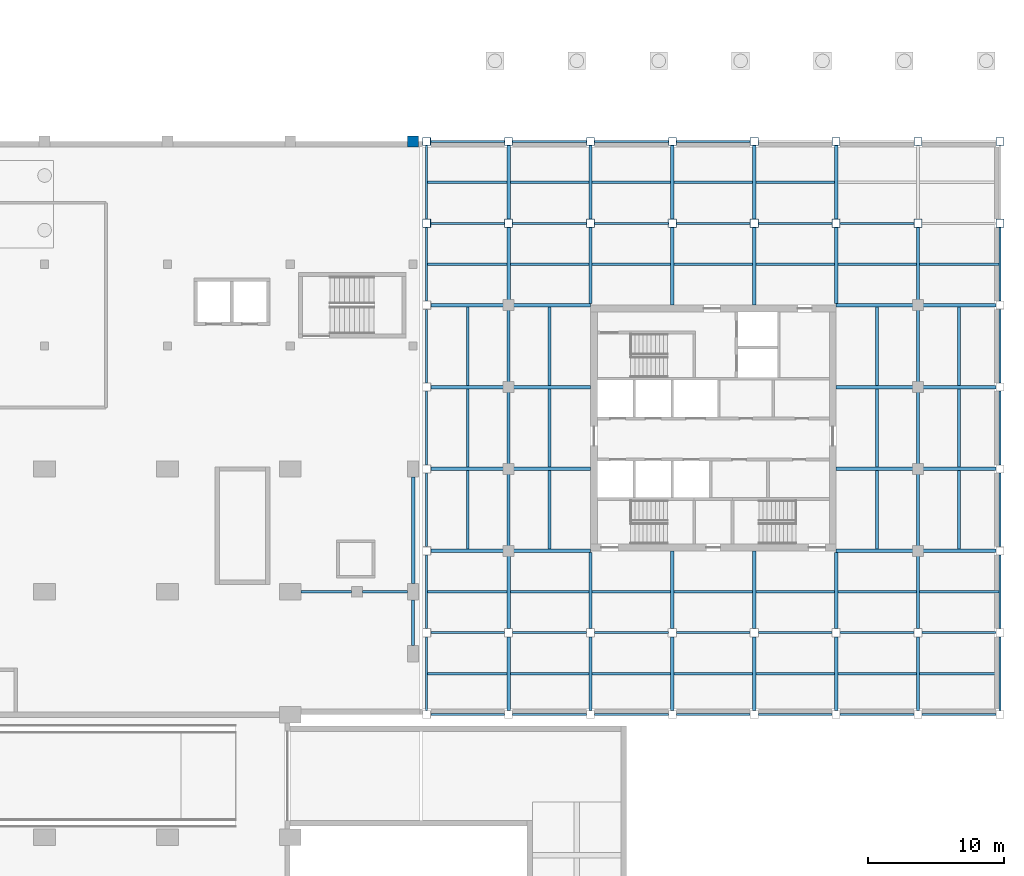
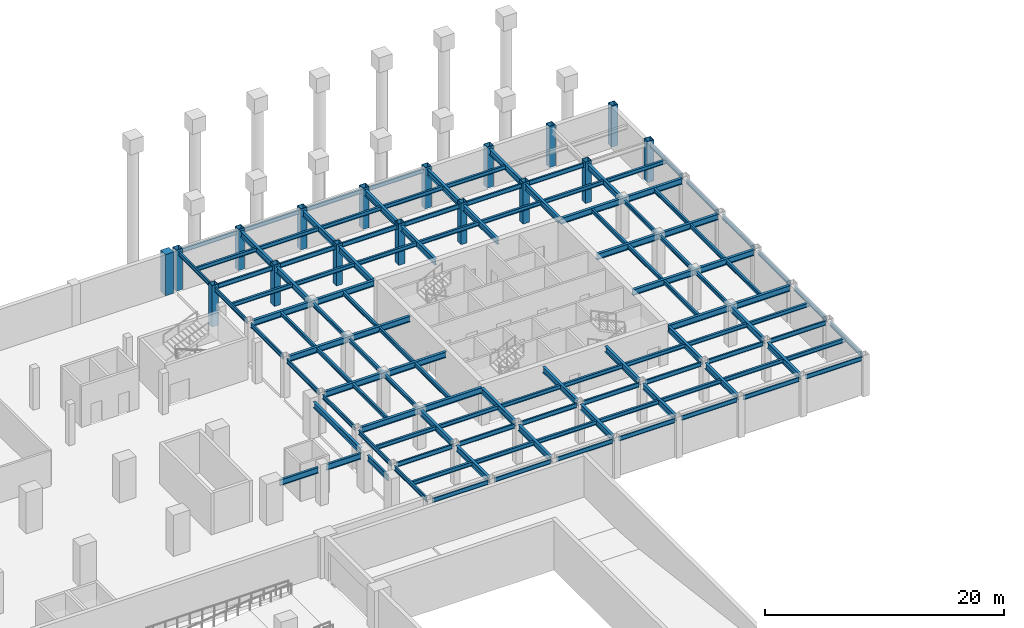
# One storey, part 6 of 27: 116 beams, 17 columns.
"""IFC4 building model written with IfcOpenShell, lengths in metres."""

from ifc_helpers import new_model, si_unit, direction, frame, origin, origin_2d, place, context, subcontext, project, spatial, rectangle, hollow_rectangle, i_section, extrude, material, material_profile, profile_set, type_object, element, save


model = new_model("IFC4")

# Units and contexts
model_context = context("Model", 3, precision=1e-05, world=origin(), true_north=direction((0.0, 1.0)))
body_context = subcontext(model_context, "Body", "Model", "MODEL_VIEW")
ifc_project = project(units=[si_unit("LENGTHUNIT", "METRE"), si_unit("AREAUNIT", "SQUARE_METRE"), si_unit("VOLUMEUNIT", "CUBIC_METRE"), si_unit("PLANEANGLEUNIT", "RADIAN"), si_unit("MASSUNIT", "GRAM", prefix="KILO")], contexts=[model_context])

# Site, building, storey
site_placement = place(None, origin())
site = spatial("IfcSite", under=ifc_project, at=site_placement, CompositionType="ELEMENT")
building_placement = place(site_placement, origin())
building = spatial("IfcBuilding", under=site, at=building_placement, Name="Aravalli Gate Trade Fair Centre", CompositionType="ELEMENT")
storey_placement = place(building_placement, frame((0.0, 0.0, -4.199951171875)))
storey = spatial("IfcBuildingStorey", under=building, at=storey_placement, Name="B1", CompositionType="ELEMENT", Elevation=-4.199951171875)

# Columns
ifc_material_1 = material(Name="Concrete M45", Category="concrete")
ifc_material_profile_1 = material_profile(ifc_material_1, rectangle(XDim=0.800048828125, YDim=0.800048828125, at=origin_2d()), Name="RC column 800 x 800")
ifc_profile_set_1 = profile_set([ifc_material_profile_1], Name="Concrete M45")
column_type_1 = type_object("IfcColumnType", Name="RC column 800 x 800", PredefinedType="COLUMN", material=ifc_profile_set_1)
column_placement = place(storey_placement, frame((159.0, 133.0, 0.0), z_axis=(0.0, 0.0, 1.0), x_axis=(1.0, 0.0, 0.0)))
element("IfcColumn", 1, at=column_placement, inside=storey, type_object=column_type_1, Name="Concourse column KE B1", PredefinedType="COLUMN", context=body_context, shape_type="SweptSolid", body=[
    extrude(rectangle(XDim=0.800048828125, YDim=0.800048828125, at=origin_2d()), origin(), (0.0, 0.0, 1.0), 4.199951171875),
])
ifc_material_2 = material(Name="Steel E350", Category="steel")
ifc_material_profile_2 = material_profile(ifc_material_2, hollow_rectangle(XDim=0.60009765625, YDim=0.60009765625, WallThickness=0.0400390625, at=origin_2d()), Name="BOX 600x600x40")
ifc_profile_set_2 = profile_set([ifc_material_profile_2], Name="Steel E350")
column_type_2 = type_object("IfcColumnType", Name="Wing box column 600 x 600 x 40", PredefinedType="COLUMN", material=ifc_profile_set_2)
for number, where, z_axis, x_axis, name in (
    (2, (160.0, 127.0, 0.0), (0.0, 0.0, 1.0), (1.0, 0.0, 0.0), "Wing column 18/T4 B1"),
    (3, (160.0, 133.0, 0.0), (0.0, 0.0, 1.0), (1.0, 0.0, 0.0), "Wing column 18/K B1"),
    (4, (166.0, 133.0, 0.0), (0.0, 0.0, 1.0), (1.0, 0.0, 0.0), "Wing column 19/K B1"),
    (5, (172.0, 133.0, 0.0), (0.0, 0.0, 1.0), (1.0, 0.0, 0.0), "Wing column 20/K B1"),
    (6, (178.0, 133.0, 0.0), (0.0, 0.0, 1.0), (1.0, 0.0, 0.0), "Wing column 21/K B1"),
    (7, (184.0, 133.0, 0.0), (0.0, 0.0, 1.0), (1.0, 0.0, 0.0), "Wing column 22/K B1"),
    (8, (190.0, 133.0, 0.0), (0.0, 0.0, 1.0), (1.0, 0.0, 0.0), "Wing column 23/K B1"),
    (9, (196.0, 133.0, 0.0), (0.0, 0.0, 1.0), (1.0, 0.0, 0.0), "Wing column 24/K B1"),
    (10, (202.0, 127.0, 0.0), (0.0, 0.0, 1.0), (1.0, 0.0, 0.0), "Wing column 25/T4 B1"),
    (11, (202.0, 133.0, 0.0), (0.0, 0.0, 1.0), (1.0, 0.0, 0.0), "Wing column 25/K B1"),
    (12, (166.0, 127.0, 0.0), (0.0, 0.0, 1.0), (1.0, 0.0, 0.0), "Wing column 19/T4 B1"),
    (13, (172.0, 127.0, 0.0), (0.0, 0.0, 1.0), (1.0, 0.0, 0.0), "Wing column 20/T4 B1"),
    (14, (178.0, 127.0, 0.0), (0.0, 0.0, 1.0), (1.0, 0.0, 0.0), "Wing column 21/T4 B1"),
    (15, (184.0, 127.0, 0.0), (0.0, 0.0, 1.0), (1.0, 0.0, 0.0), "Wing column 22/T4 B1"),
    (16, (190.0, 127.0, 0.0), (0.0, 0.0, 1.0), (1.0, 0.0, 0.0), "Wing column 23/T4 B1"),
    (17, (196.0, 127.0, 0.0), (0.0, 0.0, 1.0), (1.0, 0.0, 0.0), "Wing column 24/T4 B1"),
):
    element("IfcColumn", number, at=place(storey_placement, frame(where, z_axis=z_axis, x_axis=x_axis)), inside=storey, type_object=column_type_2, Name=name, PredefinedType="COLUMN", context=body_context, shape_type="SweptSolid", body=[
        extrude(hollow_rectangle(XDim=0.60009765625, YDim=0.60009765625, WallThickness=0.0400390625, at=origin_2d()), origin(), (0.0, 0.0, 1.0), 4.199951171875),
    ])

# Beams
ifc_material_profile_3 = material_profile(ifc_material_2, i_section(OverallWidth=0.2099609375, OverallDepth=0.60009765625, WebThickness=0.011962890625, FlangeThickness=0.020263671875, at=origin_2d()), Name="ISMB 600")
ifc_profile_set_3 = profile_set([ifc_material_profile_3], Name="Steel E350")
beam_type_1 = type_object("IfcBeamType", Name="Link girder ISMB 600", PredefinedType="BEAM", material=ifc_profile_set_3)
beam_1_placement = place(storey_placement, frame((159.0, 96.050048828125, 3.489990234375), z_axis=(0.0, 1.0, 0.0), x_axis=(-1.0, 0.0, 0.0)))
element("IfcBeam", 18, at=beam_1_placement, inside=storey, type_object=beam_type_1, Name="Link girder EFG L00", PredefinedType="BEAM", context=body_context, shape_type="SweptSolid", body=[
    extrude(i_section(OverallWidth=0.2099609375, OverallDepth=0.60009765625, WebThickness=0.011962890625, FlangeThickness=0.020263671875, at=origin_2d()), origin(), (0.0, 0.0, 1.0), 3.349853515625),
])
beam_2_placement = place(storey_placement, frame((150.800048828125, 100.0, 3.489990234375), z_axis=(1.0, 0.0, 0.0), x_axis=(0.0, 1.0, 0.0)))
element("IfcBeam", 19, at=beam_2_placement, inside=storey, type_object=beam_type_1, Name="Link girder WM L00", PredefinedType="BEAM", context=body_context, shape_type="SweptSolid", body=[
    extrude(i_section(OverallWidth=0.2099609375, OverallDepth=0.60009765625, WebThickness=0.011962890625, FlangeThickness=0.020263671875, at=origin_2d()), origin(), (0.0, 0.0, 1.0), 3.699951171875),
])
beam_3_placement = place(storey_placement, frame((155.300048828125, 100.0, 3.489990234375), z_axis=(1.0, 0.0, 0.0), x_axis=(0.0, 1.0, 0.0)))
element("IfcBeam", 20, at=beam_3_placement, inside=storey, type_object=beam_type_1, Name="Link girder ME L00", PredefinedType="BEAM", context=body_context, shape_type="SweptSolid", body=[
    extrude(i_section(OverallWidth=0.2099609375, OverallDepth=0.60009765625, WebThickness=0.011962890625, FlangeThickness=0.020263671875, at=origin_2d()), origin(), (0.0, 0.0, 1.0), 3.300048828125),
])
ifc_material_profile_4 = material_profile(ifc_material_2, i_section(OverallWidth=0.25, OverallDepth=0.60009765625, WebThickness=0.01123046875, FlangeThickness=0.021240234375, at=origin_2d()), Name="ISWB 600")
ifc_profile_set_4 = profile_set([ifc_material_profile_4], Name="Steel E350")
beam_type_2 = type_object("IfcBeamType", Name="Link transfer girder ISWB 600", PredefinedType="BEAM", material=ifc_profile_set_4)
beam_4_placement = place(storey_placement, frame((159.0, 100.60009765625, 3.489990234375), z_axis=(0.0, 1.0, 0.0), x_axis=(-1.0, 0.0, 0.0)))
element("IfcBeam", 21, at=beam_4_placement, inside=storey, type_object=beam_type_2, Name="Link transfer girder EGH L00", PredefinedType="BEAM", context=body_context, shape_type="SweptSolid", body=[
    extrude(i_section(OverallWidth=0.25, OverallDepth=0.60009765625, WebThickness=0.01123046875, FlangeThickness=0.021240234375, at=origin_2d()), origin(), (0.0, 0.0, 1.0), 7.7998046875),
])
ifc_material_profile_5 = material_profile(ifc_material_2, i_section(OverallWidth=0.25, OverallDepth=0.60009765625, WebThickness=0.01123046875, FlangeThickness=0.021240234375, at=origin_2d()), Name="ISWB 600")
ifc_profile_set_5 = profile_set([ifc_material_profile_5], Name="Steel E350")
beam_type_3 = type_object("IfcBeamType", Name="Wing core to perimeter girder ISWB 600 (podium floors)", PredefinedType="BEAM", material=ifc_profile_set_5)
for number, where, z_axis, x_axis, name in (
    (22, (160.300048828125, 103.0, 3.699951171875), (1.0, 0.0, 0.0), (0.0, 1.0, 0.0), "Core to perimeter girder PW0 L00"),
    (23, (190.0, 103.0, 3.699951171875), (1.0, 0.0, 0.0), (0.0, 1.0, 0.0), "Core to perimeter girder PE0 L00"),
    (24, (160.300048828125, 109.0, 3.699951171875), (1.0, 0.0, 0.0), (0.0, 1.0, 0.0), "Core to perimeter girder PW1 L00"),
    (25, (190.0, 109.0, 3.699951171875), (1.0, 0.0, 0.0), (0.0, 1.0, 0.0), "Core to perimeter girder PE1 L00"),
    (26, (160.300048828125, 115.0, 3.699951171875), (1.0, 0.0, 0.0), (0.0, 1.0, 0.0), "Core to perimeter girder PW2 L00"),
    (27, (190.0, 115.0, 3.699951171875), (1.0, 0.0, 0.0), (0.0, 1.0, 0.0), "Core to perimeter girder PE2 L00"),
    (28, (160.300048828125, 121.0, 3.699951171875), (1.0, 0.0, 0.0), (0.0, 1.0, 0.0), "Core to perimeter girder PW3 L00"),
    (29, (190.0, 121.0, 3.699951171875), (1.0, 0.0, 0.0), (0.0, 1.0, 0.0), "Core to perimeter girder PE3 L00"),
):
    element("IfcBeam", number, at=place(storey_placement, frame(where, z_axis=z_axis, x_axis=x_axis)), inside=storey, type_object=beam_type_3, Name=name, PredefinedType="BEAM", context=body_context, shape_type="SweptSolid", body=[
        extrude(i_section(OverallWidth=0.25, OverallDepth=0.60009765625, WebThickness=0.01123046875, FlangeThickness=0.021240234375, at=origin_2d()), origin(), (0.0, 0.0, 1.0), 11.699951171875),
    ])
beam_5_placement = place(storey_placement, frame((172.0, 91.300048828125, 3.699951171875), z_axis=(0.0, 1.0, 0.0), x_axis=(-1.0, 0.0, 0.0)))
element("IfcBeam", 30, at=beam_5_placement, inside=storey, type_object=beam_type_3, Name="Core to perimeter girder PS0a L00", PredefinedType="BEAM", context=body_context, shape_type="SweptSolid", body=[
    extrude(i_section(OverallWidth=0.25, OverallDepth=0.60009765625, WebThickness=0.01123046875, FlangeThickness=0.021240234375, at=origin_2d()), origin(), (0.0, 0.0, 1.0), 5.39990234375),
])
for number, where, z_axis, x_axis, name in (
    (31, (172.0, 97.300048828125, 3.699951171875), (0.0, 1.0, 0.0), (-1.0, 0.0, 0.0), "Core to perimeter girder PS0b L00"),
    (32, (172.0, 121.125, 3.699951171875), (0.0, 1.0, 0.0), (-1.0, 0.0, 0.0), "Core to perimeter girder PN0a L00"),
):
    element("IfcBeam", number, at=place(storey_placement, frame(where, z_axis=z_axis, x_axis=x_axis)), inside=storey, type_object=beam_type_3, Name=name, PredefinedType="BEAM", context=body_context, shape_type="SweptSolid", body=[
        extrude(i_section(OverallWidth=0.25, OverallDepth=0.60009765625, WebThickness=0.01123046875, FlangeThickness=0.021240234375, at=origin_2d()), origin(), (0.0, 0.0, 1.0), 5.574951171875),
    ])
for number, where, z_axis, x_axis, name in (
    (33, (172.0, 127.300048828125, 3.699951171875), (0.0, 1.0, 0.0), (-1.0, 0.0, 0.0), "Core to perimeter girder PN0b L00"),
    (34, (178.0, 91.300048828125, 3.699951171875), (0.0, 1.0, 0.0), (-1.0, 0.0, 0.0), "Core to perimeter girder PS1a L00"),
):
    element("IfcBeam", number, at=place(storey_placement, frame(where, z_axis=z_axis, x_axis=x_axis)), inside=storey, type_object=beam_type_3, Name=name, PredefinedType="BEAM", context=body_context, shape_type="SweptSolid", body=[
        extrude(i_section(OverallWidth=0.25, OverallDepth=0.60009765625, WebThickness=0.01123046875, FlangeThickness=0.021240234375, at=origin_2d()), origin(), (0.0, 0.0, 1.0), 5.39990234375),
    ])
for number, where, z_axis, x_axis, name in (
    (35, (178.0, 97.300048828125, 3.699951171875), (0.0, 1.0, 0.0), (-1.0, 0.0, 0.0), "Core to perimeter girder PS1b L00"),
    (36, (178.0, 121.0, 3.699951171875), (0.0, 1.0, 0.0), (-1.0, 0.0, 0.0), "Core to perimeter girder PN1a L00"),
):
    element("IfcBeam", number, at=place(storey_placement, frame(where, z_axis=z_axis, x_axis=x_axis)), inside=storey, type_object=beam_type_3, Name=name, PredefinedType="BEAM", context=body_context, shape_type="SweptSolid", body=[
        extrude(i_section(OverallWidth=0.25, OverallDepth=0.60009765625, WebThickness=0.01123046875, FlangeThickness=0.021240234375, at=origin_2d()), origin(), (0.0, 0.0, 1.0), 5.699951171875),
    ])
for number, where, z_axis, x_axis, name in (
    (37, (178.0, 127.300048828125, 3.699951171875), (0.0, 1.0, 0.0), (-1.0, 0.0, 0.0), "Core to perimeter girder PN1b L00"),
    (38, (184.0, 91.300048828125, 3.699951171875), (0.0, 1.0, 0.0), (-1.0, 0.0, 0.0), "Core to perimeter girder PS2a L00"),
):
    element("IfcBeam", number, at=place(storey_placement, frame(where, z_axis=z_axis, x_axis=x_axis)), inside=storey, type_object=beam_type_3, Name=name, PredefinedType="BEAM", context=body_context, shape_type="SweptSolid", body=[
        extrude(i_section(OverallWidth=0.25, OverallDepth=0.60009765625, WebThickness=0.01123046875, FlangeThickness=0.021240234375, at=origin_2d()), origin(), (0.0, 0.0, 1.0), 5.39990234375),
    ])
for number, where, z_axis, x_axis, name in (
    (39, (184.0, 97.300048828125, 3.699951171875), (0.0, 1.0, 0.0), (-1.0, 0.0, 0.0), "Core to perimeter girder PS2b L00"),
    (40, (184.0, 121.0, 3.699951171875), (0.0, 1.0, 0.0), (-1.0, 0.0, 0.0), "Core to perimeter girder PN2a L00"),
):
    element("IfcBeam", number, at=place(storey_placement, frame(where, z_axis=z_axis, x_axis=x_axis)), inside=storey, type_object=beam_type_3, Name=name, PredefinedType="BEAM", context=body_context, shape_type="SweptSolid", body=[
        extrude(i_section(OverallWidth=0.25, OverallDepth=0.60009765625, WebThickness=0.01123046875, FlangeThickness=0.021240234375, at=origin_2d()), origin(), (0.0, 0.0, 1.0), 5.699951171875),
    ])
for number, where, z_axis, x_axis, name in (
    (41, (184.0, 127.300048828125, 3.699951171875), (0.0, 1.0, 0.0), (-1.0, 0.0, 0.0), "Core to perimeter girder PN2b L00"),
    (42, (190.0, 91.300048828125, 3.699951171875), (0.0, 1.0, 0.0), (-1.0, 0.0, 0.0), "Core to perimeter girder PS3a L00"),
):
    element("IfcBeam", number, at=place(storey_placement, frame(where, z_axis=z_axis, x_axis=x_axis)), inside=storey, type_object=beam_type_3, Name=name, PredefinedType="BEAM", context=body_context, shape_type="SweptSolid", body=[
        extrude(i_section(OverallWidth=0.25, OverallDepth=0.60009765625, WebThickness=0.01123046875, FlangeThickness=0.021240234375, at=origin_2d()), origin(), (0.0, 0.0, 1.0), 5.39990234375),
    ])
for number, where, z_axis, x_axis, name in (
    (43, (190.0, 97.300048828125, 3.699951171875), (0.0, 1.0, 0.0), (-1.0, 0.0, 0.0), "Core to perimeter girder PS3b L00"),
    (44, (190.0, 121.125, 3.699951171875), (0.0, 1.0, 0.0), (-1.0, 0.0, 0.0), "Core to perimeter girder PN3a L00"),
):
    element("IfcBeam", number, at=place(storey_placement, frame(where, z_axis=z_axis, x_axis=x_axis)), inside=storey, type_object=beam_type_3, Name=name, PredefinedType="BEAM", context=body_context, shape_type="SweptSolid", body=[
        extrude(i_section(OverallWidth=0.25, OverallDepth=0.60009765625, WebThickness=0.01123046875, FlangeThickness=0.021240234375, at=origin_2d()), origin(), (0.0, 0.0, 1.0), 5.574951171875),
    ])
beam_6_placement = place(storey_placement, frame((190.0, 127.300048828125, 3.699951171875), z_axis=(0.0, 1.0, 0.0), x_axis=(-1.0, 0.0, 0.0)))
element("IfcBeam", 45, at=beam_6_placement, inside=storey, type_object=beam_type_3, Name="Core to perimeter girder PN3b L00", PredefinedType="BEAM", context=body_context, shape_type="SweptSolid", body=[
    extrude(i_section(OverallWidth=0.25, OverallDepth=0.60009765625, WebThickness=0.01123046875, FlangeThickness=0.021240234375, at=origin_2d()), origin(), (0.0, 0.0, 1.0), 5.39990234375),
])
ifc_material_profile_6 = material_profile(ifc_material_2, i_section(OverallWidth=0.25, OverallDepth=0.60009765625, WebThickness=0.01123046875, FlangeThickness=0.021240234375, at=origin_2d()), Name="ISWB 600")
ifc_profile_set_6 = profile_set([ifc_material_profile_6], Name="Steel E350")
beam_type_4 = type_object("IfcBeamType", Name="Wing corner transfer girder ISWB 600 (podium floors)", PredefinedType="BEAM", material=ifc_profile_set_6)
beam_7_placement = place(storey_placement, frame((166.0, 91.300048828125, 3.699951171875), z_axis=(0.0, 1.0, 0.0), x_axis=(-1.0, 0.0, 0.0)))
element("IfcBeam", 46, at=beam_7_placement, inside=storey, type_object=beam_type_4, Name="Corner transfer girder CSWya L00", PredefinedType="BEAM", context=body_context, shape_type="SweptSolid", body=[
    extrude(i_section(OverallWidth=0.25, OverallDepth=0.60009765625, WebThickness=0.01123046875, FlangeThickness=0.021240234375, at=origin_2d()), origin(), (0.0, 0.0, 1.0), 5.39990234375),
])
for number, where, z_axis, x_axis, name in (
    (47, (166.0, 97.300048828125, 3.699951171875), (0.0, 1.0, 0.0), (-1.0, 0.0, 0.0), "Corner transfer girder CSWyb L00"),
    (48, (166.0, 121.125, 3.699951171875), (0.0, 1.0, 0.0), (-1.0, 0.0, 0.0), "Corner transfer girder CNWya L00"),
):
    element("IfcBeam", number, at=place(storey_placement, frame(where, z_axis=z_axis, x_axis=x_axis)), inside=storey, type_object=beam_type_4, Name=name, PredefinedType="BEAM", context=body_context, shape_type="SweptSolid", body=[
        extrude(i_section(OverallWidth=0.25, OverallDepth=0.60009765625, WebThickness=0.01123046875, FlangeThickness=0.021240234375, at=origin_2d()), origin(), (0.0, 0.0, 1.0), 5.574951171875),
    ])
for number, where, z_axis, x_axis, name in (
    (49, (166.0, 127.300048828125, 3.699951171875), (0.0, 1.0, 0.0), (-1.0, 0.0, 0.0), "Corner transfer girder CNWyb L00"),
    (50, (196.0, 91.300048828125, 3.699951171875), (0.0, 1.0, 0.0), (-1.0, 0.0, 0.0), "Corner transfer girder CSEya L00"),
):
    element("IfcBeam", number, at=place(storey_placement, frame(where, z_axis=z_axis, x_axis=x_axis)), inside=storey, type_object=beam_type_4, Name=name, PredefinedType="BEAM", context=body_context, shape_type="SweptSolid", body=[
        extrude(i_section(OverallWidth=0.25, OverallDepth=0.60009765625, WebThickness=0.01123046875, FlangeThickness=0.021240234375, at=origin_2d()), origin(), (0.0, 0.0, 1.0), 5.39990234375),
    ])
for number, where, z_axis, x_axis, name in (
    (51, (196.0, 97.300048828125, 3.699951171875), (0.0, 1.0, 0.0), (-1.0, 0.0, 0.0), "Corner transfer girder CSEyb L00"),
    (52, (196.0, 121.125, 3.699951171875), (0.0, 1.0, 0.0), (-1.0, 0.0, 0.0), "Corner transfer girder CNEya L00"),
):
    element("IfcBeam", number, at=place(storey_placement, frame(where, z_axis=z_axis, x_axis=x_axis)), inside=storey, type_object=beam_type_4, Name=name, PredefinedType="BEAM", context=body_context, shape_type="SweptSolid", body=[
        extrude(i_section(OverallWidth=0.25, OverallDepth=0.60009765625, WebThickness=0.01123046875, FlangeThickness=0.021240234375, at=origin_2d()), origin(), (0.0, 0.0, 1.0), 5.574951171875),
    ])
ifc_material_profile_7 = material_profile(ifc_material_2, i_section(OverallWidth=0.14990234375, OverallDepth=0.449951171875, WebThickness=0.009521484375, FlangeThickness=0.017333984375, at=origin_2d()), Name="ISMB 450")
ifc_profile_set_7 = profile_set([ifc_material_profile_7], Name="Steel E350")
beam_type_5 = type_object("IfcBeamType", Name="Wing perimeter beam ISMB 450 (podium floors)", PredefinedType="BEAM", material=ifc_profile_set_7)
for number, where, z_axis, x_axis, name in (
    (53, (160.300048828125, 91.0, 3.77490234375), (1.0, 0.0, 0.0), (0.0, 1.0, 0.0), "Perimeter beam ES0 L00"),
    (54, (160.300048828125, 133.0, 3.77490234375), (1.0, 0.0, 0.0), (0.0, 1.0, 0.0), "Perimeter beam EN0 L00"),
    (55, (166.300048828125, 91.0, 3.77490234375), (1.0, 0.0, 0.0), (0.0, 1.0, 0.0), "Perimeter beam ES1 L00"),
    (56, (166.300048828125, 133.0, 3.77490234375), (1.0, 0.0, 0.0), (0.0, 1.0, 0.0), "Perimeter beam EN1 L00"),
    (57, (172.300048828125, 91.0, 3.77490234375), (1.0, 0.0, 0.0), (0.0, 1.0, 0.0), "Perimeter beam ES2 L00"),
    (58, (172.300048828125, 133.0, 3.77490234375), (1.0, 0.0, 0.0), (0.0, 1.0, 0.0), "Perimeter beam EN2 L00"),
    (59, (178.300048828125, 91.0, 3.77490234375), (1.0, 0.0, 0.0), (0.0, 1.0, 0.0), "Perimeter beam ES3 L00"),
    (60, (178.300048828125, 133.0, 3.77490234375), (1.0, 0.0, 0.0), (0.0, 1.0, 0.0), "Perimeter beam EN3 L00"),
    (61, (184.300048828125, 91.0, 3.77490234375), (1.0, 0.0, 0.0), (0.0, 1.0, 0.0), "Perimeter beam ES4 L00"),
    (62, (190.300048828125, 91.0, 3.77490234375), (1.0, 0.0, 0.0), (0.0, 1.0, 0.0), "Perimeter beam ES5 L00"),
    (63, (196.300048828125, 91.0, 3.77490234375), (1.0, 0.0, 0.0), (0.0, 1.0, 0.0), "Perimeter beam ES6 L00"),
    (64, (160.300048828125, 97.0, 3.77490234375), (1.0, 0.0, 0.0), (0.0, 1.0, 0.0), "Perimeter beam ER0 L00"),
    (65, (160.300048828125, 127.0, 3.77490234375), (1.0, 0.0, 0.0), (0.0, 1.0, 0.0), "Perimeter beam EQ0 L00"),
    (66, (166.300048828125, 97.0, 3.77490234375), (1.0, 0.0, 0.0), (0.0, 1.0, 0.0), "Perimeter beam ER1 L00"),
    (67, (166.300048828125, 127.0, 3.77490234375), (1.0, 0.0, 0.0), (0.0, 1.0, 0.0), "Perimeter beam EQ1 L00"),
    (68, (172.300048828125, 97.0, 3.77490234375), (1.0, 0.0, 0.0), (0.0, 1.0, 0.0), "Perimeter beam ER2 L00"),
    (69, (172.300048828125, 127.0, 3.77490234375), (1.0, 0.0, 0.0), (0.0, 1.0, 0.0), "Perimeter beam EQ2 L00"),
    (70, (178.300048828125, 97.0, 3.77490234375), (1.0, 0.0, 0.0), (0.0, 1.0, 0.0), "Perimeter beam ER3 L00"),
    (71, (178.300048828125, 127.0, 3.77490234375), (1.0, 0.0, 0.0), (0.0, 1.0, 0.0), "Perimeter beam EQ3 L00"),
    (72, (184.300048828125, 97.0, 3.77490234375), (1.0, 0.0, 0.0), (0.0, 1.0, 0.0), "Perimeter beam ER4 L00"),
    (73, (184.300048828125, 127.0, 3.77490234375), (1.0, 0.0, 0.0), (0.0, 1.0, 0.0), "Perimeter beam EQ4 L00"),
    (74, (190.300048828125, 97.0, 3.77490234375), (1.0, 0.0, 0.0), (0.0, 1.0, 0.0), "Perimeter beam ER5 L00"),
    (75, (190.300048828125, 127.0, 3.77490234375), (1.0, 0.0, 0.0), (0.0, 1.0, 0.0), "Perimeter beam EQ5 L00"),
    (76, (196.300048828125, 97.0, 3.77490234375), (1.0, 0.0, 0.0), (0.0, 1.0, 0.0), "Perimeter beam ER6 L00"),
    (77, (160.0, 91.300048828125, 3.77490234375), (0.0, 1.0, 0.0), (-1.0, 0.0, 0.0), "Perimeter beam EW0 L00"),
    (78, (202.0, 91.300048828125, 3.77490234375), (0.0, 1.0, 0.0), (-1.0, 0.0, 0.0), "Perimeter beam EE0 L00"),
    (79, (160.0, 97.300048828125, 3.77490234375), (0.0, 1.0, 0.0), (-1.0, 0.0, 0.0), "Perimeter beam EW1 L00"),
    (80, (202.0, 97.300048828125, 3.77490234375), (0.0, 1.0, 0.0), (-1.0, 0.0, 0.0), "Perimeter beam EE1 L00"),
    (81, (160.0, 103.300048828125, 3.77490234375), (0.0, 1.0, 0.0), (-1.0, 0.0, 0.0), "Perimeter beam EW2 L00"),
    (82, (202.0, 103.300048828125, 3.77490234375), (0.0, 1.0, 0.0), (-1.0, 0.0, 0.0), "Perimeter beam EE2 L00"),
    (83, (160.0, 109.300048828125, 3.77490234375), (0.0, 1.0, 0.0), (-1.0, 0.0, 0.0), "Perimeter beam EW3 L00"),
    (84, (202.0, 109.300048828125, 3.77490234375), (0.0, 1.0, 0.0), (-1.0, 0.0, 0.0), "Perimeter beam EE3 L00"),
    (85, (160.0, 115.300048828125, 3.77490234375), (0.0, 1.0, 0.0), (-1.0, 0.0, 0.0), "Perimeter beam EW4 L00"),
    (86, (202.0, 115.300048828125, 3.77490234375), (0.0, 1.0, 0.0), (-1.0, 0.0, 0.0), "Perimeter beam EE4 L00"),
    (87, (160.0, 121.300048828125, 3.77490234375), (0.0, 1.0, 0.0), (-1.0, 0.0, 0.0), "Perimeter beam EW5 L00"),
    (88, (202.0, 121.300048828125, 3.77490234375), (0.0, 1.0, 0.0), (-1.0, 0.0, 0.0), "Perimeter beam EE5 L00"),
    (89, (160.0, 127.300048828125, 3.77490234375), (0.0, 1.0, 0.0), (-1.0, 0.0, 0.0), "Perimeter beam EW6 L00"),
):
    element("IfcBeam", number, at=place(storey_placement, frame(where, z_axis=z_axis, x_axis=x_axis)), inside=storey, type_object=beam_type_5, Name=name, PredefinedType="BEAM", context=body_context, shape_type="SweptSolid", body=[
        extrude(i_section(OverallWidth=0.14990234375, OverallDepth=0.449951171875, WebThickness=0.009521484375, FlangeThickness=0.017333984375, at=origin_2d()), origin(), (0.0, 0.0, 1.0), 5.39990234375),
    ])
ifc_material_profile_8 = material_profile(ifc_material_2, i_section(OverallWidth=0.199951171875, OverallDepth=0.39990234375, WebThickness=0.008544921875, FlangeThickness=0.012939453125, at=origin_2d()), Name="ISWB 400")
ifc_profile_set_8 = profile_set([ifc_material_profile_8], Name="Steel E350")
beam_type_6 = type_object("IfcBeamType", Name="Wing secondary beam ISWB 400 (podium floors)", PredefinedType="BEAM", material=ifc_profile_set_8)
beam_8_placement = place(storey_placement, frame((160.074951171875, 94.0, 3.800048828125), z_axis=(1.0, 0.0, 0.0), x_axis=(0.0, 1.0, 0.0)))
element("IfcBeam", 90, at=beam_8_placement, inside=storey, type_object=beam_type_6, Name="Secondary beam KWS00 L00", PredefinedType="BEAM", context=body_context, shape_type="SweptSolid", body=[
    extrude(i_section(OverallWidth=0.199951171875, OverallDepth=0.39990234375, WebThickness=0.008544921875, FlangeThickness=0.012939453125, at=origin_2d()), origin(), (0.0, 0.0, 1.0), 5.800048828125),
])
beam_9_placement = place(storey_placement, frame((166.125, 94.0, 3.800048828125), z_axis=(1.0, 0.0, 0.0), x_axis=(0.0, 1.0, 0.0)))
element("IfcBeam", 91, at=beam_9_placement, inside=storey, type_object=beam_type_6, Name="Secondary beam KWS01 L00", PredefinedType="BEAM", context=body_context, shape_type="SweptSolid", body=[
    extrude(i_section(OverallWidth=0.199951171875, OverallDepth=0.39990234375, WebThickness=0.008544921875, FlangeThickness=0.012939453125, at=origin_2d()), origin(), (0.0, 0.0, 1.0), 5.75),
])
beam_10_placement = place(storey_placement, frame((160.074951171875, 100.0, 3.800048828125), z_axis=(1.0, 0.0, 0.0), x_axis=(0.0, 1.0, 0.0)))
element("IfcBeam", 92, at=beam_10_placement, inside=storey, type_object=beam_type_6, Name="Secondary beam KWS10 L00", PredefinedType="BEAM", context=body_context, shape_type="SweptSolid", body=[
    extrude(i_section(OverallWidth=0.199951171875, OverallDepth=0.39990234375, WebThickness=0.008544921875, FlangeThickness=0.012939453125, at=origin_2d()), origin(), (0.0, 0.0, 1.0), 5.800048828125),
])
beam_11_placement = place(storey_placement, frame((166.125, 100.0, 3.800048828125), z_axis=(1.0, 0.0, 0.0), x_axis=(0.0, 1.0, 0.0)))
element("IfcBeam", 93, at=beam_11_placement, inside=storey, type_object=beam_type_6, Name="Secondary beam KWS11 L00", PredefinedType="BEAM", context=body_context, shape_type="SweptSolid", body=[
    extrude(i_section(OverallWidth=0.199951171875, OverallDepth=0.39990234375, WebThickness=0.008544921875, FlangeThickness=0.012939453125, at=origin_2d()), origin(), (0.0, 0.0, 1.0), 5.75),
])
beam_12_placement = place(storey_placement, frame((160.074951171875, 124.0, 3.800048828125), z_axis=(1.0, 0.0, 0.0), x_axis=(0.0, 1.0, 0.0)))
element("IfcBeam", 94, at=beam_12_placement, inside=storey, type_object=beam_type_6, Name="Secondary beam KWN00 L00", PredefinedType="BEAM", context=body_context, shape_type="SweptSolid", body=[
    extrude(i_section(OverallWidth=0.199951171875, OverallDepth=0.39990234375, WebThickness=0.008544921875, FlangeThickness=0.012939453125, at=origin_2d()), origin(), (0.0, 0.0, 1.0), 5.800048828125),
])
beam_13_placement = place(storey_placement, frame((166.125, 124.0, 3.800048828125), z_axis=(1.0, 0.0, 0.0), x_axis=(0.0, 1.0, 0.0)))
element("IfcBeam", 95, at=beam_13_placement, inside=storey, type_object=beam_type_6, Name="Secondary beam KWN01 L00", PredefinedType="BEAM", context=body_context, shape_type="SweptSolid", body=[
    extrude(i_section(OverallWidth=0.199951171875, OverallDepth=0.39990234375, WebThickness=0.008544921875, FlangeThickness=0.012939453125, at=origin_2d()), origin(), (0.0, 0.0, 1.0), 5.75),
])
beam_14_placement = place(storey_placement, frame((160.074951171875, 130.0, 3.800048828125), z_axis=(1.0, 0.0, 0.0), x_axis=(0.0, 1.0, 0.0)))
element("IfcBeam", 96, at=beam_14_placement, inside=storey, type_object=beam_type_6, Name="Secondary beam KWN10 L00", PredefinedType="BEAM", context=body_context, shape_type="SweptSolid", body=[
    extrude(i_section(OverallWidth=0.199951171875, OverallDepth=0.39990234375, WebThickness=0.008544921875, FlangeThickness=0.012939453125, at=origin_2d()), origin(), (0.0, 0.0, 1.0), 5.800048828125),
])
for number, where, z_axis, x_axis, name in (
    (97, (166.125, 130.0, 3.800048828125), (1.0, 0.0, 0.0), (0.0, 1.0, 0.0), "Secondary beam KWN11 L00"),
    (98, (190.125, 94.0, 3.800048828125), (1.0, 0.0, 0.0), (0.0, 1.0, 0.0), "Secondary beam KES00 L00"),
):
    element("IfcBeam", number, at=place(storey_placement, frame(where, z_axis=z_axis, x_axis=x_axis)), inside=storey, type_object=beam_type_6, Name=name, PredefinedType="BEAM", context=body_context, shape_type="SweptSolid", body=[
        extrude(i_section(OverallWidth=0.199951171875, OverallDepth=0.39990234375, WebThickness=0.008544921875, FlangeThickness=0.012939453125, at=origin_2d()), origin(), (0.0, 0.0, 1.0), 5.75),
    ])
beam_15_placement = place(storey_placement, frame((196.125, 94.0, 3.800048828125), z_axis=(1.0, 0.0, 0.0), x_axis=(0.0, 1.0, 0.0)))
element("IfcBeam", 99, at=beam_15_placement, inside=storey, type_object=beam_type_6, Name="Secondary beam KES01 L00", PredefinedType="BEAM", context=body_context, shape_type="SweptSolid", body=[
    extrude(i_section(OverallWidth=0.199951171875, OverallDepth=0.39990234375, WebThickness=0.008544921875, FlangeThickness=0.012939453125, at=origin_2d()), origin(), (0.0, 0.0, 1.0), 5.800048828125),
])
beam_16_placement = place(storey_placement, frame((190.125, 100.0, 3.800048828125), z_axis=(1.0, 0.0, 0.0), x_axis=(0.0, 1.0, 0.0)))
element("IfcBeam", 100, at=beam_16_placement, inside=storey, type_object=beam_type_6, Name="Secondary beam KES10 L00", PredefinedType="BEAM", context=body_context, shape_type="SweptSolid", body=[
    extrude(i_section(OverallWidth=0.199951171875, OverallDepth=0.39990234375, WebThickness=0.008544921875, FlangeThickness=0.012939453125, at=origin_2d()), origin(), (0.0, 0.0, 1.0), 5.75),
])
beam_17_placement = place(storey_placement, frame((196.125, 100.0, 3.800048828125), z_axis=(1.0, 0.0, 0.0), x_axis=(0.0, 1.0, 0.0)))
element("IfcBeam", 101, at=beam_17_placement, inside=storey, type_object=beam_type_6, Name="Secondary beam KES11 L00", PredefinedType="BEAM", context=body_context, shape_type="SweptSolid", body=[
    extrude(i_section(OverallWidth=0.199951171875, OverallDepth=0.39990234375, WebThickness=0.008544921875, FlangeThickness=0.012939453125, at=origin_2d()), origin(), (0.0, 0.0, 1.0), 5.800048828125),
])
beam_18_placement = place(storey_placement, frame((190.125, 124.0, 3.800048828125), z_axis=(1.0, 0.0, 0.0), x_axis=(0.0, 1.0, 0.0)))
element("IfcBeam", 102, at=beam_18_placement, inside=storey, type_object=beam_type_6, Name="Secondary beam KEN00 L00", PredefinedType="BEAM", context=body_context, shape_type="SweptSolid", body=[
    extrude(i_section(OverallWidth=0.199951171875, OverallDepth=0.39990234375, WebThickness=0.008544921875, FlangeThickness=0.012939453125, at=origin_2d()), origin(), (0.0, 0.0, 1.0), 5.75),
])
beam_19_placement = place(storey_placement, frame((196.125, 124.0, 3.800048828125), z_axis=(1.0, 0.0, 0.0), x_axis=(0.0, 1.0, 0.0)))
element("IfcBeam", 103, at=beam_19_placement, inside=storey, type_object=beam_type_6, Name="Secondary beam KEN01 L00", PredefinedType="BEAM", context=body_context, shape_type="SweptSolid", body=[
    extrude(i_section(OverallWidth=0.199951171875, OverallDepth=0.39990234375, WebThickness=0.008544921875, FlangeThickness=0.012939453125, at=origin_2d()), origin(), (0.0, 0.0, 1.0), 5.800048828125),
])
for number, where, z_axis, x_axis, name in (
    (104, (163.0, 103.125, 3.800048828125), (0.0, 1.0, 0.0), (-1.0, 0.0, 0.0), "Secondary beam BW0163 L00"),
    (105, (166.0, 103.125, 3.800048828125), (0.0, 1.0, 0.0), (-1.0, 0.0, 0.0), "Secondary beam BW0166 L00"),
    (106, (169.0, 103.125, 3.800048828125), (0.0, 1.0, 0.0), (-1.0, 0.0, 0.0), "Secondary beam BW0169 L00"),
    (107, (163.0, 109.125, 3.800048828125), (0.0, 1.0, 0.0), (-1.0, 0.0, 0.0), "Secondary beam BW1163 L00"),
    (108, (166.0, 109.125, 3.800048828125), (0.0, 1.0, 0.0), (-1.0, 0.0, 0.0), "Secondary beam BW1166 L00"),
    (109, (169.0, 109.125, 3.800048828125), (0.0, 1.0, 0.0), (-1.0, 0.0, 0.0), "Secondary beam BW1169 L00"),
    (110, (163.0, 115.125, 3.800048828125), (0.0, 1.0, 0.0), (-1.0, 0.0, 0.0), "Secondary beam BW2163 L00"),
    (111, (166.0, 115.125, 3.800048828125), (0.0, 1.0, 0.0), (-1.0, 0.0, 0.0), "Secondary beam BW2166 L00"),
    (112, (169.0, 115.125, 3.800048828125), (0.0, 1.0, 0.0), (-1.0, 0.0, 0.0), "Secondary beam BW2169 L00"),
    (113, (193.0, 103.125, 3.800048828125), (0.0, 1.0, 0.0), (-1.0, 0.0, 0.0), "Secondary beam BE0193 L00"),
    (114, (196.0, 103.125, 3.800048828125), (0.0, 1.0, 0.0), (-1.0, 0.0, 0.0), "Secondary beam BE0196 L00"),
    (115, (199.0, 103.125, 3.800048828125), (0.0, 1.0, 0.0), (-1.0, 0.0, 0.0), "Secondary beam BE0199 L00"),
    (116, (193.0, 109.125, 3.800048828125), (0.0, 1.0, 0.0), (-1.0, 0.0, 0.0), "Secondary beam BE1193 L00"),
    (117, (196.0, 109.125, 3.800048828125), (0.0, 1.0, 0.0), (-1.0, 0.0, 0.0), "Secondary beam BE1196 L00"),
    (118, (199.0, 109.125, 3.800048828125), (0.0, 1.0, 0.0), (-1.0, 0.0, 0.0), "Secondary beam BE1199 L00"),
    (119, (193.0, 115.125, 3.800048828125), (0.0, 1.0, 0.0), (-1.0, 0.0, 0.0), "Secondary beam BE2193 L00"),
    (120, (196.0, 115.125, 3.800048828125), (0.0, 1.0, 0.0), (-1.0, 0.0, 0.0), "Secondary beam BE2196 L00"),
    (121, (199.0, 115.125, 3.800048828125), (0.0, 1.0, 0.0), (-1.0, 0.0, 0.0), "Secondary beam BE2199 L00"),
    (122, (172.125, 94.0, 3.800048828125), (1.0, 0.0, 0.0), (0.0, 1.0, 0.0), "Secondary beam BS094 L00"),
    (123, (172.125, 100.0, 3.800048828125), (1.0, 0.0, 0.0), (0.0, 1.0, 0.0), "Secondary beam BS0100 L00"),
    (124, (178.125, 94.0, 3.800048828125), (1.0, 0.0, 0.0), (0.0, 1.0, 0.0), "Secondary beam BS194 L00"),
    (125, (178.125, 100.0, 3.800048828125), (1.0, 0.0, 0.0), (0.0, 1.0, 0.0), "Secondary beam BS1100 L00"),
    (126, (184.125, 94.0, 3.800048828125), (1.0, 0.0, 0.0), (0.0, 1.0, 0.0), "Secondary beam BS294 L00"),
    (127, (184.125, 100.0, 3.800048828125), (1.0, 0.0, 0.0), (0.0, 1.0, 0.0), "Secondary beam BS2100 L00"),
    (128, (172.125, 124.0, 3.800048828125), (1.0, 0.0, 0.0), (0.0, 1.0, 0.0), "Secondary beam BN0124 L00"),
    (129, (172.125, 130.0, 3.800048828125), (1.0, 0.0, 0.0), (0.0, 1.0, 0.0), "Secondary beam BN0130 L00"),
    (130, (178.125, 124.0, 3.800048828125), (1.0, 0.0, 0.0), (0.0, 1.0, 0.0), "Secondary beam BN1124 L00"),
    (131, (178.125, 130.0, 3.800048828125), (1.0, 0.0, 0.0), (0.0, 1.0, 0.0), "Secondary beam BN1130 L00"),
    (132, (184.125, 124.0, 3.800048828125), (1.0, 0.0, 0.0), (0.0, 1.0, 0.0), "Secondary beam BN2124 L00"),
    (133, (184.125, 130.0, 3.800048828125), (1.0, 0.0, 0.0), (0.0, 1.0, 0.0), "Secondary beam BN2130 L00"),
):
    element("IfcBeam", number, at=place(storey_placement, frame(where, z_axis=z_axis, x_axis=x_axis)), inside=storey, type_object=beam_type_6, Name=name, PredefinedType="BEAM", context=body_context, shape_type="SweptSolid", body=[
        extrude(i_section(OverallWidth=0.199951171875, OverallDepth=0.39990234375, WebThickness=0.008544921875, FlangeThickness=0.012939453125, at=origin_2d()), origin(), (0.0, 0.0, 1.0), 5.75),
    ])

save(model, "model.ifc")
